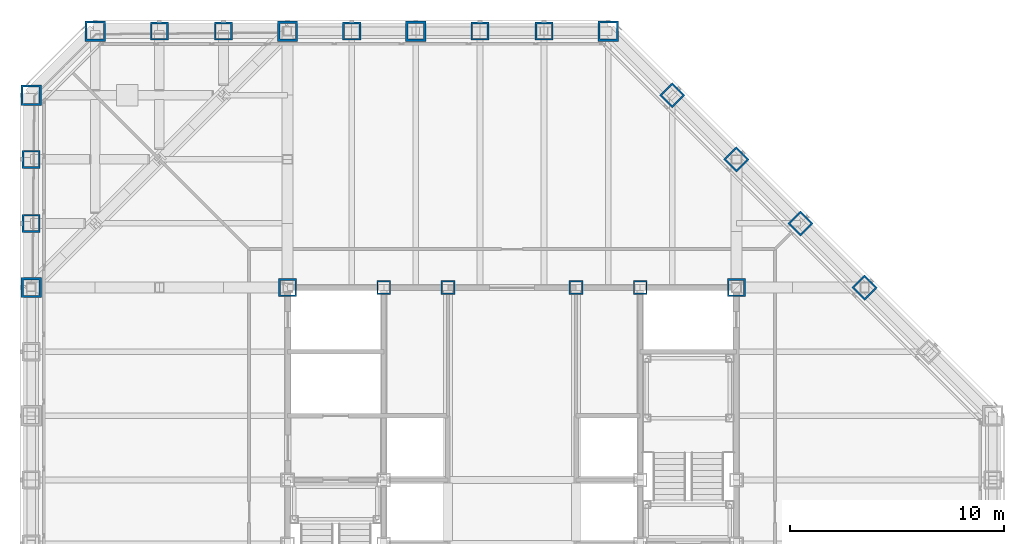
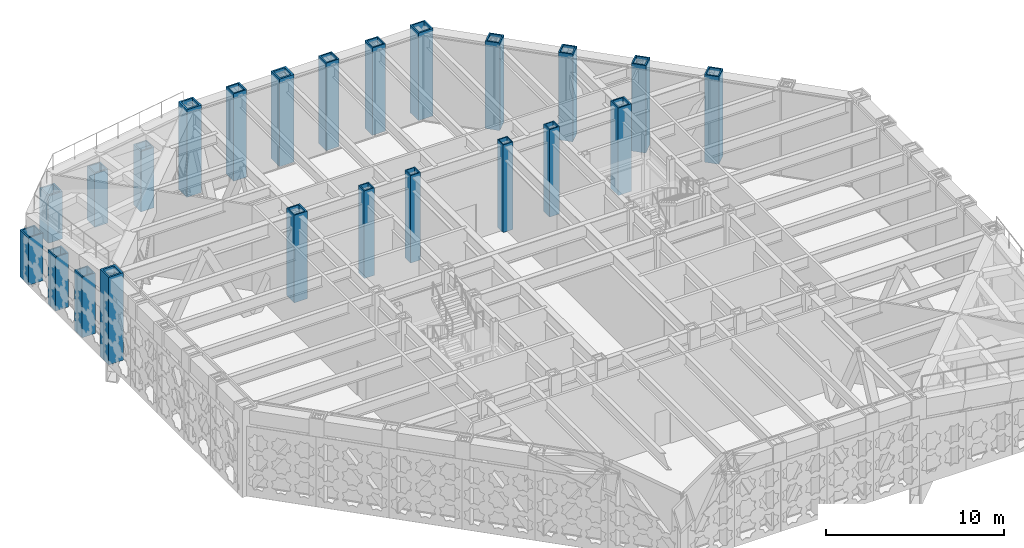
# One storey, part 3 of 28: 23 columns.
"""IFC4 building model written with IfcOpenShell, lengths in metres."""

from ifc_helpers import new_model, si_unit, direction, frame, origin, origin_2d, place, context, subcontext, project, spatial, hollow_rectangle, extrude, material, material_profile, profile_set, type_object, element, save


model = new_model("IFC4")

# Units and contexts
model_context = context("Model", 3, precision=1e-05, world=origin(), true_north=direction((0.0, 1.0)))
body_context = subcontext(model_context, "Body", "Model", "MODEL_VIEW")
ifc_project = project(units=[si_unit("LENGTHUNIT", "METRE"), si_unit("AREAUNIT", "SQUARE_METRE"), si_unit("VOLUMEUNIT", "CUBIC_METRE"), si_unit("PLANEANGLEUNIT", "RADIAN"), si_unit("MASSUNIT", "GRAM", prefix="KILO")], contexts=[model_context])

# Site, building, storey
site_placement = place(None, origin())
site = spatial("IfcSite", under=ifc_project, at=site_placement, CompositionType="ELEMENT")
building_placement = place(site_placement, origin())
building = spatial("IfcBuilding", under=site, at=building_placement, Name="Chuquiago Exchange Tower", CompositionType="ELEMENT")
storey_placement = place(building_placement, frame((0.0, 0.0, 174.0)))
storey = spatial("IfcBuildingStorey", under=building, at=storey_placement, Name="L38", CompositionType="ELEMENT", Elevation=174.0)

# Columns
ifc_material_1 = material(Name="Steel ASTM A572 Grade 50", Category="steel")
ifc_material_profile_1 = material_profile(ifc_material_1, hollow_rectangle(XDim=0.85009765625, YDim=0.85009765625, WallThickness=0.0849609375, at=origin_2d()), Name="BOX850X850X85")
ifc_profile_set_1 = profile_set([ifc_material_profile_1], Name="Steel ASTM A572 Grade 50")
column_type_1 = type_object("IfcColumnType", Name="C6 BOX850X850X85", PredefinedType="COLUMN", material=ifc_profile_set_1)
for number, where, z_axis, x_axis, name in (
    (1, (39.0, 33.0, 0.0), (0.0, 0.0, 1.0), (0.707106781187, 0.707106781187, 0.0), "COL-L38-39_33"),
    (2, (36.0, 36.0, 0.0), (0.0, 0.0, 1.0), (0.707106781187, 0.707106781187, 0.0), "COL-L38-36_36"),
    (3, (33.0, 39.0, 0.0), (0.0, 0.0, 1.0), (0.707106781187, 0.707106781187, 0.0), "COL-L38-33_39"),
    (4, (30.0, 42.0, 0.0), (0.0, 0.0, 1.0), (0.707106781187, 0.707106781187, 0.0), "COL-L38-30_42"),
    (5, (24.0, 45.0, 0.0), (0.0, 0.0, 1.0), (0.0, 1.0, 0.0), "COL-L38-24_45"),
    (6, (21.0, 45.0, 0.0), (0.0, 0.0, 1.0), (0.0, 1.0, 0.0), "COL-L38-21_45"),
    (7, (15.0, 45.0, 0.0), (0.0, 0.0, 1.0), (0.0, 1.0, 0.0), "COL-L38-15_45"),
):
    element("IfcColumn", number, at=place(storey_placement, frame(where, z_axis=z_axis, x_axis=x_axis)), inside=storey, type_object=column_type_1, Name=name, PredefinedType="COLUMN", context=body_context, shape_type="SweptSolid", body=[
        extrude(hollow_rectangle(XDim=0.85009765625, YDim=0.85009765625, WallThickness=0.0849609375, at=origin_2d()), origin(), (0.0, 0.0, 1.0), 6.0),
    ])
column_1_placement = place(storey_placement, frame((9.0, 45.0, 0.0), z_axis=(0.0, 0.0, 1.0), x_axis=(0.0, 1.0, 0.0)))
element("IfcColumn", 8, at=column_1_placement, inside=storey, type_object=column_type_1, Name="COL-L38-9_45", PredefinedType="COLUMN", context=body_context, shape_type="SweptSolid", body=[
    extrude(hollow_rectangle(XDim=0.85009765625, YDim=0.85009765625, WallThickness=0.0849609375, at=origin_2d()), origin(), (0.0, 0.0, 1.0), 4.149169921875),
])
for number, where, z_axis, x_axis, name in (
    (9, (6.0, 45.0, 0.0), (0.0, 0.0, 1.0), (0.0, 1.0, 0.0), "COL-L38-6_45"),
    (10, (0.0, 39.0, 0.0), (0.0, 0.0, 1.0), (-1.0, 0.0, 0.0), "COL-L38-0_39"),
):
    element("IfcColumn", number, at=place(storey_placement, frame(where, z_axis=z_axis, x_axis=x_axis)), inside=storey, type_object=column_type_1, Name=name, PredefinedType="COLUMN", context=body_context, shape_type="SweptSolid", body=[
        extrude(hollow_rectangle(XDim=0.85009765625, YDim=0.85009765625, WallThickness=0.0849609375, at=origin_2d()), origin(), (0.0, 0.0, 1.0), 3.6982421875),
    ])
column_2_placement = place(storey_placement, frame((0.0, 36.0, 0.0), z_axis=(0.0, 0.0, 1.0), x_axis=(-1.0, 0.0, 0.0)))
element("IfcColumn", 11, at=column_2_placement, inside=storey, type_object=column_type_1, Name="COL-L38-0_36", PredefinedType="COLUMN", context=body_context, shape_type="SweptSolid", body=[
    extrude(hollow_rectangle(XDim=0.85009765625, YDim=0.85009765625, WallThickness=0.0849609375, at=origin_2d()), origin(), (0.0, 0.0, 1.0), 4.149169921875),
])
ifc_material_2 = material(Name="Steel ASTM A572 Grade 50", Category="steel")
ifc_material_profile_2 = material_profile(ifc_material_2, hollow_rectangle(XDim=0.85009765625, YDim=0.85009765625, WallThickness=0.0849609375, at=origin_2d()), Name="BOX850X850X85")
ifc_profile_set_2 = profile_set([ifc_material_profile_2], Name="Steel ASTM A572 Grade 50")
column_type_2 = type_object("IfcColumnType", Name="CC6 BOX850X850X85", PredefinedType="COLUMN", material=ifc_profile_set_2)
for number, where, z_axis, x_axis, name in (
    (12, (12.0, 33.0, 0.0), (0.0, 0.0, 1.0), (1.0, 0.0, 0.0), "CCOL-L38-12_33"),
    (13, (33.0, 33.0, 0.0), (0.0, 0.0, 1.0), (1.0, 0.0, 0.0), "CCOL-L38-33_33"),
):
    element("IfcColumn", number, at=place(storey_placement, frame(where, z_axis=z_axis, x_axis=x_axis)), inside=storey, type_object=column_type_2, Name=name, PredefinedType="COLUMN", context=body_context, shape_type="SweptSolid", body=[
        extrude(hollow_rectangle(XDim=0.85009765625, YDim=0.85009765625, WallThickness=0.0849609375, at=origin_2d()), origin(), (0.0, 0.0, 1.0), 6.0),
    ])
ifc_material_3 = material(Name="Steel ASTM A572 Grade 50", Category="steel")
ifc_material_profile_3 = material_profile(ifc_material_3, hollow_rectangle(XDim=0.64990234375, YDim=0.64990234375, WallThickness=0.06494140625, at=origin_2d()), Name="BOX650X650X65")
ifc_profile_set_3 = profile_set([ifc_material_profile_3], Name="Steel ASTM A572 Grade 50")
column_type_3 = type_object("IfcColumnType", Name="CC7 BOX650X650X65", PredefinedType="COLUMN", material=ifc_profile_set_3)
for number, where, z_axis, x_axis, name in (
    (14, (16.5, 33.0, 0.0), (0.0, 0.0, 1.0), (1.0, 0.0, 0.0), "CCOL-L38-16.5_33"),
    (15, (19.5, 33.0, 0.0), (0.0, 0.0, 1.0), (1.0, 0.0, 0.0), "CCOL-L38-19.5_33"),
    (16, (25.5, 33.0, 0.0), (0.0, 0.0, 1.0), (1.0, 0.0, 0.0), "CCOL-L38-25.5_33"),
    (17, (28.5, 33.0, 0.0), (0.0, 0.0, 1.0), (1.0, 0.0, 0.0), "CCOL-L38-28.5_33"),
):
    element("IfcColumn", number, at=place(storey_placement, frame(where, z_axis=z_axis, x_axis=x_axis)), inside=storey, type_object=column_type_3, Name=name, PredefinedType="COLUMN", context=body_context, shape_type="SweptSolid", body=[
        extrude(hollow_rectangle(XDim=0.64990234375, YDim=0.64990234375, WallThickness=0.06494140625, at=origin_2d()), origin(), (0.0, 0.0, 1.0), 6.0),
    ])
ifc_material_4 = material(Name="Steel ASTM A572 Grade 50", Category="steel")
ifc_material_profile_4 = material_profile(ifc_material_4, hollow_rectangle(XDim=0.949951171875, YDim=0.949951171875, WallThickness=0.094970703125, at=origin_2d()), Name="BOX950X950X95")
ifc_profile_set_4 = profile_set([ifc_material_profile_4], Name="Steel ASTM A572 Grade 50")
column_type_4 = type_object("IfcColumnType", Name="CN1 BOX950X950X95", PredefinedType="COLUMN", material=ifc_profile_set_4)
column_3_placement = place(storey_placement, frame((27.0, 45.0, 0.0), z_axis=(0.0, 0.0, 1.0), x_axis=(0.0, 1.0, 0.0)))
element("IfcColumn", 18, at=column_3_placement, inside=storey, type_object=column_type_4, Name="COL-L38-27_45", PredefinedType="COLUMN", context=body_context, shape_type="SweptSolid", body=[
    extrude(hollow_rectangle(XDim=0.949951171875, YDim=0.949951171875, WallThickness=0.094970703125, at=origin_2d()), origin(), (0.0, 0.0, 1.0), 6.0),
])
for number, where, z_axis, x_axis, name in (
    (19, (3.0, 45.0, 0.0), (0.0, 0.0, 1.0), (0.0, 1.0, 0.0), "COL-L38-3_45"),
    (20, (0.0, 42.0, 0.0), (0.0, 0.0, 1.0), (-1.0, 0.0, 0.0), "COL-L38-0_42"),
):
    element("IfcColumn", number, at=place(storey_placement, frame(where, z_axis=z_axis, x_axis=x_axis)), inside=storey, type_object=column_type_4, Name=name, PredefinedType="COLUMN", context=body_context, shape_type="SweptSolid", body=[
        extrude(hollow_rectangle(XDim=0.949951171875, YDim=0.949951171875, WallThickness=0.094970703125, at=origin_2d()), origin(), (0.0, 0.0, 1.0), 3.247314453125),
    ])
ifc_material_5 = material(Name="Steel ASTM A572 Grade 42", Category="steel")
ifc_material_profile_5 = material_profile(ifc_material_5, hollow_rectangle(XDim=0.949951171875, YDim=0.949951171875, WallThickness=0.110107421875, at=origin_2d()), Name="BOX950X950X110")
ifc_profile_set_5 = profile_set([ifc_material_profile_5], Name="Steel ASTM A572 Grade 42")
column_type_5 = type_object("IfcColumnType", Name="CT1 BOX950X950X110", PredefinedType="COLUMN", material=ifc_profile_set_5)
for number, where, z_axis, x_axis, name in (
    (21, (18.0, 45.0, 0.0), (0.0, 0.0, 1.0), (0.0, 1.0, 0.0), "COL-L38-18_45"),
    (22, (12.0, 45.0, 0.0), (0.0, 0.0, 1.0), (0.0, 1.0, 0.0), "COL-L38-12_45"),
    (23, (0.0, 33.0, 0.0), (0.0, 0.0, 1.0), (-1.0, 0.0, 0.0), "COL-L38-0_33"),
):
    element("IfcColumn", number, at=place(storey_placement, frame(where, z_axis=z_axis, x_axis=x_axis)), inside=storey, type_object=column_type_5, Name=name, PredefinedType="COLUMN", context=body_context, shape_type="SweptSolid", body=[
        extrude(hollow_rectangle(XDim=0.949951171875, YDim=0.949951171875, WallThickness=0.110107421875, at=origin_2d()), origin(), (0.0, 0.0, 1.0), 6.0),
    ])

save(model, "model.ifc")
